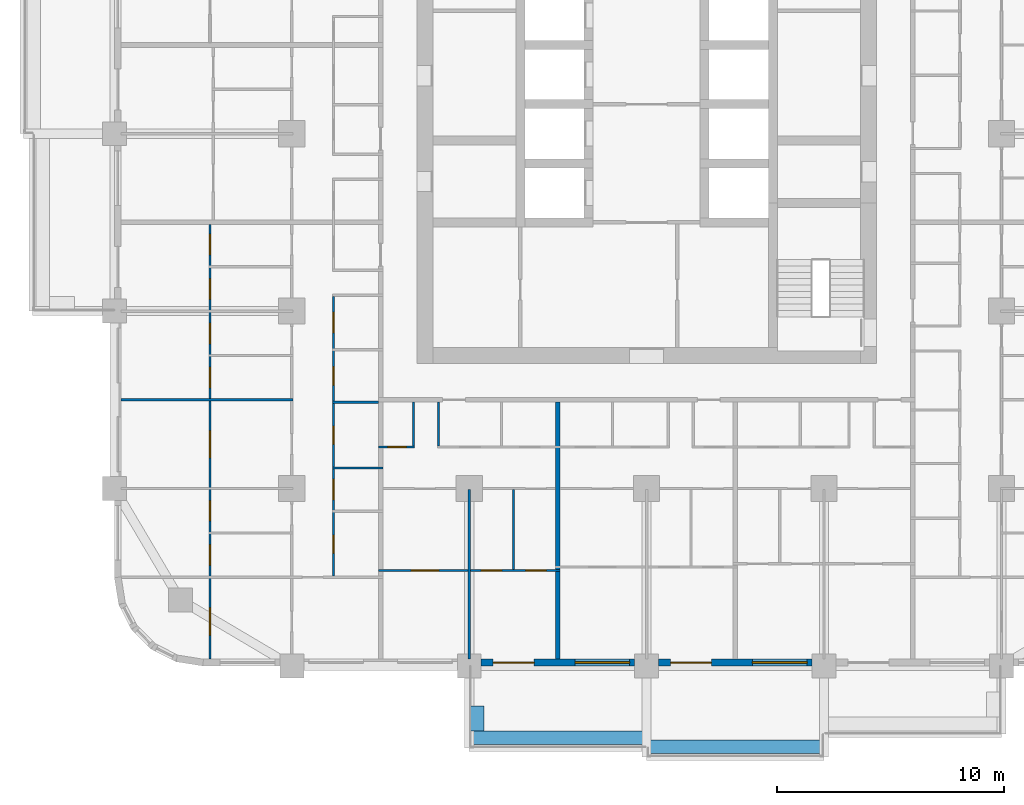
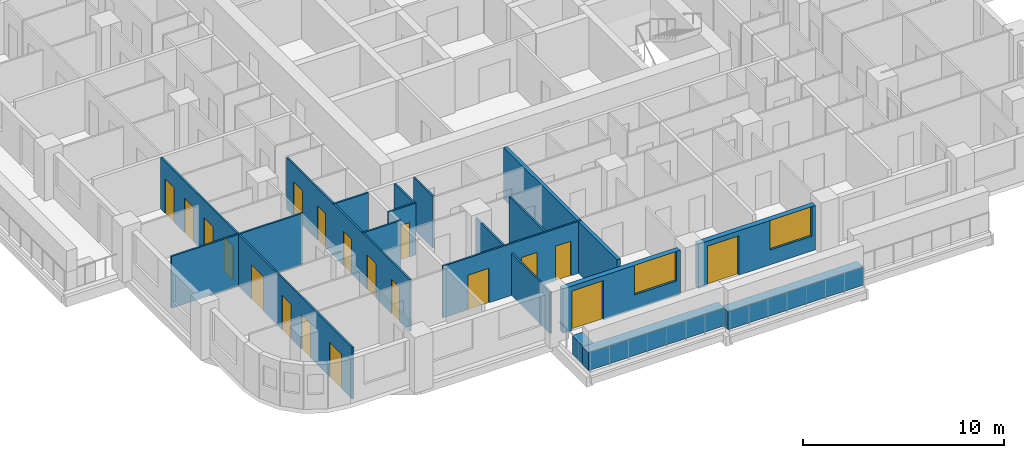
# One storey, part 3 of 17: 19 doors, 17 walls, 2 windows, 21 openings.
"""IFC4 building model written with IfcOpenShell, lengths in metres."""

from ifc_helpers import new_model, si_unit, direction, frame, frame_2d, origin, place, context, subcontext, project, spatial, rectangle, extrude, material, layer, layer_set, type_object, element, fill, save


model = new_model("IFC4")

# Units and contexts
model_context = context("Model", 3, precision=1e-05, world=origin(), true_north=direction((0.0, 1.0)))
body_context = subcontext(model_context, "Body", "Model", "MODEL_VIEW")
ifc_project = project(units=[si_unit("LENGTHUNIT", "METRE"), si_unit("AREAUNIT", "SQUARE_METRE"), si_unit("VOLUMEUNIT", "CUBIC_METRE"), si_unit("PLANEANGLEUNIT", "RADIAN"), si_unit("MASSUNIT", "GRAM", prefix="KILO")], contexts=[model_context])

# Site, building, storey
site_placement = place(None, origin())
site = spatial("IfcSite", under=ifc_project, at=site_placement, CompositionType="ELEMENT")
building_placement = place(site_placement, origin())
building = spatial("IfcBuilding", under=site, at=building_placement, Name="Ludao Terraces", CompositionType="ELEMENT")
storey_placement = place(building_placement, frame((0.0, 0.0, 39.89990234375)))
storey = spatial("IfcBuildingStorey", under=building, at=storey_placement, Name="L10", CompositionType="ELEMENT", Elevation=39.89990234375)

# Walls
ifc_material_1 = material(Name="Concrete C40", Category="concrete")
ifc_layer_1 = layer(ifc_material_1, 0.60009765625)
ifc_layer_set_1 = layer_set([ifc_layer_1], Name="ENV Planter trough 600")
wall_type_1 = type_object("IfcWallType", Name="ENV Planter trough 600", PredefinedType="USERDEFINED", material=ifc_layer_set_1)
wall_1_placement = place(storey_placement, frame((77.199951171875, 38.449951171875, 0.0), z_axis=(0.0, 0.0, 1.0), x_axis=(1.0, 0.0, 0.0)))
element("IfcWall", 1, at=wall_1_placement, inside=storey, type_object=wall_type_1, Name="PL-L10-S2", ObjectType="PLANTER", PredefinedType="USERDEFINED", context=body_context, shape_type="SweptSolid", body=[
    extrude(rectangle(XDim=7.800048828125, YDim=0.60009765625, at=frame_2d((3.89990234375, 0.0))), origin(), (0.0, 0.0, 1.0), 1.10009765625),
])
wall_2_placement = place(storey_placement, frame((77.550048828125, 38.75, 0.0), z_axis=(0.0, 0.0, 1.0), x_axis=(0.0, 1.0, 0.0)))
element("IfcWall", 2, at=wall_2_placement, inside=storey, type_object=wall_type_1, Name="PL-L10-S2-SA", ObjectType="PLANTER", PredefinedType="USERDEFINED", context=body_context, shape_type="SweptSolid", body=[
    extrude(rectangle(XDim=1.10009765625, YDim=0.60009765625, at=frame_2d((0.550048828125, 0.0))), origin(), (0.0, 0.0, 1.0), 1.10009765625),
])
wall_3_placement = place(storey_placement, frame((85.0, 38.050048828125, 0.0), z_axis=(0.0, 0.0, 1.0), x_axis=(1.0, 0.0, 0.0)))
element("IfcWall", 3, at=wall_3_placement, inside=storey, type_object=wall_type_1, Name="PL-L10-S3", ObjectType="PLANTER", PredefinedType="USERDEFINED", context=body_context, shape_type="SweptSolid", body=[
    extrude(rectangle(XDim=7.800048828125, YDim=0.60009765625, at=frame_2d((3.89990234375, 0.0))), origin(), (0.0, 0.0, 1.0), 1.10009765625),
])

# Wall, openings, door, window
ifc_material_2 = material(Name="Granite cladding", Category="masonry")
ifc_layer_2 = layer(ifc_material_2, 0.0400390625, Category="stone")
ifc_material_3 = material(Name="Mineral wool")
ifc_layer_3 = layer(ifc_material_3, 0.06005859375)
ifc_layer_4 = layer(ifc_material_1, 0.199951171875, Category="concrete")
ifc_layer_set_2 = layer_set([ifc_layer_2, ifc_layer_3, ifc_layer_4], Name="ENV Stone-clad wall 300")
wall_type_2 = type_object("IfcWallType", Name="ENV Stone-clad wall 300", PredefinedType="SOLIDWALL", material=ifc_layer_set_2)
wall_4_placement = place(storey_placement, frame((77.72509765625, 41.75, 0.0), z_axis=(0.0, 0.0, 1.0), x_axis=(1.0, 0.0, 0.0)))
wall_4 = element("IfcWall", 4, at=wall_4_placement, inside=storey, type_object=wall_type_2, Name="EW-L10-S3", PredefinedType="SOLIDWALL", context=body_context, shape_type="SweptSolid", body=[
    extrude(rectangle(XDim=6.75, YDim=0.300048828125, at=frame_2d((3.375, 0.0))), origin(), (0.0, 0.0, 1.0), 2.7001953125),
])
opening_1_placement = place(wall_4_placement, frame((0.52490234375, 0.0, 0.0)))
opening_1 = element("IfcOpeningElement", 5, at=opening_1_placement, cuts=wall_4, Name="Opening BD", PredefinedType="OPENING", context=body_context, shape_type="SweptSolid", body=[
    extrude(rectangle(XDim=1.800048828125, YDim=2.39990234375, at=frame_2d((0.89990234375, 1.199951171875))), frame((0.0, 0.16015625, 0.0), z_axis=(0.0, -1.0, 0.0), x_axis=(1.0, 0.0, 0.0)), (0.0, 0.0, 1.0), 0.320068359375),
])
opening_2_placement = place(wall_4_placement, frame((4.125, 0.0, 0.89990234375)))
opening_2 = element("IfcOpeningElement", 6, at=opening_2_placement, cuts=wall_4, Name="Opening W1", PredefinedType="OPENING", context=body_context, shape_type="SweptSolid", body=[
    extrude(rectangle(XDim=2.39990234375, YDim=1.800048828125, at=frame_2d((1.199951171875, 0.89990234375))), frame((0.0, 0.16015625, 0.0), z_axis=(0.0, -1.0, 0.0), x_axis=(1.0, 0.0, 0.0)), (0.0, 0.0, 1.0), 0.320068359375),
])
ifc_material_4 = material(Name="Aluminium glazed door", Category="aluminium")
ifc_layer_5 = layer(ifc_material_4, 0.06005859375)
ifc_layer_set_3 = layer_set([ifc_layer_5], Name="ENV Balcony door BD 1800x2400")
door_type_1 = type_object("IfcDoorType", Name="ENV Balcony door BD 1800x2400", OperationType="DOUBLE_DOOR_SINGLE_SWING", PredefinedType="DOOR", material=ifc_layer_set_3)
door_1_placement = place(opening_1_placement, origin())
door_1 = element("IfcDoor", 7, at=door_1_placement, inside=storey, type_object=door_type_1, Name="BD-L10-S3-1", OperationType="DOUBLE_DOOR_SINGLE_SWING", OverallHeight=2.39990234375, OverallWidth=1.800048828125, PredefinedType="DOOR", context=body_context, shape_type="SweptSolid", body=[
    extrude(rectangle(XDim=1.800048828125, YDim=2.39990234375, at=frame_2d((0.89990234375, 1.199951171875))), frame((0.0, 0.02490234375, 0.0), z_axis=(0.0, -1.0, 0.0), x_axis=(1.0, 0.0, 0.0)), (0.0, 0.0, 1.0), 0.050048828125),
])
fill(opening_1, door_1)
ifc_material_5 = material(Name="Clear glass in aluminium frame", Category="aluminium")
ifc_layer_6 = layer(ifc_material_5, 0.06005859375)
ifc_layer_set_4 = layer_set([ifc_layer_6], Name="ENV Window W1 2400x1800")
window_type = type_object("IfcWindowType", Name="ENV Window W1 2400x1800", PartitioningType="DOUBLE_PANEL_VERTICAL", PredefinedType="WINDOW", material=ifc_layer_set_4)
window_1_placement = place(opening_2_placement, origin())
window_1 = element("IfcWindow", 8, at=window_1_placement, inside=storey, type_object=window_type, Name="W-L10-S3-2", OverallHeight=1.800048828125, OverallWidth=2.39990234375, PartitioningType="DOUBLE_PANEL_VERTICAL", PredefinedType="WINDOW", context=body_context, shape_type="SweptSolid", body=[
    extrude(rectangle(XDim=2.39990234375, YDim=1.800048828125, at=frame_2d((1.199951171875, 0.89990234375))), frame((0.0, 0.030029296875, 0.0), z_axis=(0.0, -1.0, 0.0), x_axis=(1.0, 0.0, 0.0)), (0.0, 0.0, 1.0), 0.06005859375),
])
fill(opening_2, window_1)

wall_5_placement = place(storey_placement, frame((85.52490234375, 41.75, 0.0), z_axis=(0.0, 0.0, 1.0), x_axis=(1.0, 0.0, 0.0)))
wall_5 = element("IfcWall", 9, at=wall_5_placement, inside=storey, type_object=wall_type_2, Name="EW-L10-S4", PredefinedType="SOLIDWALL", context=body_context, shape_type="SweptSolid", body=[
    extrude(rectangle(XDim=6.75, YDim=0.300048828125, at=frame_2d((3.375, 0.0))), origin(), (0.0, 0.0, 1.0), 2.7001953125),
])
opening_3_placement = place(wall_5_placement, frame((0.52490234375, 0.0, 0.0)))
opening_3 = element("IfcOpeningElement", 10, at=opening_3_placement, cuts=wall_5, Name="Opening BD", PredefinedType="OPENING", context=body_context, shape_type="SweptSolid", body=[
    extrude(rectangle(XDim=1.800048828125, YDim=2.39990234375, at=frame_2d((0.89990234375, 1.199951171875))), frame((0.0, 0.16015625, 0.0), z_axis=(0.0, -1.0, 0.0), x_axis=(1.0, 0.0, 0.0)), (0.0, 0.0, 1.0), 0.320068359375),
])
opening_4_placement = place(wall_5_placement, frame((4.125, 0.0, 0.89990234375)))
opening_4 = element("IfcOpeningElement", 11, at=opening_4_placement, cuts=wall_5, Name="Opening W1", PredefinedType="OPENING", context=body_context, shape_type="SweptSolid", body=[
    extrude(rectangle(XDim=2.39990234375, YDim=1.800048828125, at=frame_2d((1.199951171875, 0.89990234375))), frame((0.0, 0.16015625, 0.0), z_axis=(0.0, -1.0, 0.0), x_axis=(1.0, 0.0, 0.0)), (0.0, 0.0, 1.0), 0.320068359375),
])
door_2_placement = place(opening_3_placement, origin())
door_2 = element("IfcDoor", 12, at=door_2_placement, inside=storey, type_object=door_type_1, Name="BD-L10-S4-1", OperationType="DOUBLE_DOOR_SINGLE_SWING", OverallHeight=2.39990234375, OverallWidth=1.800048828125, PredefinedType="DOOR", context=body_context, shape_type="SweptSolid", body=[
    extrude(rectangle(XDim=1.800048828125, YDim=2.39990234375, at=frame_2d((0.89990234375, 1.199951171875))), frame((0.0, 0.02490234375, 0.0), z_axis=(0.0, -1.0, 0.0), x_axis=(1.0, 0.0, 0.0)), (0.0, 0.0, 1.0), 0.050048828125),
])
fill(opening_3, door_2)
window_2_placement = place(opening_4_placement, origin())
window_2 = element("IfcWindow", 13, at=window_2_placement, inside=storey, type_object=window_type, Name="W-L10-S4-2", OverallHeight=1.800048828125, OverallWidth=2.39990234375, PartitioningType="DOUBLE_PANEL_VERTICAL", PredefinedType="WINDOW", context=body_context, shape_type="SweptSolid", body=[
    extrude(rectangle(XDim=2.39990234375, YDim=1.800048828125, at=frame_2d((1.199951171875, 0.89990234375))), frame((0.0, 0.030029296875, 0.0), z_axis=(0.0, -1.0, 0.0), x_axis=(1.0, 0.0, 0.0)), (0.0, 0.0, 1.0), 0.06005859375),
])
fill(opening_4, window_2)

# Wall, openings, doors
ifc_material_6 = material(Name="Gypsum plasterboard", Category="gypsum")
ifc_layer_7 = layer(ifc_material_6, 0.012451171875, Category="gypsum")
ifc_layer_8 = layer(ifc_material_3, 0.06005859375, Name="insulation")
ifc_material_7 = material(Name="Steel Q235", Category="steel")
ifc_layer_9 = layer(ifc_material_7, 0.014892578125, Name="stud")
ifc_layer_10 = layer(ifc_material_6, 0.012451171875, Category="gypsum")
ifc_layer_set_5 = layer_set([ifc_layer_7, ifc_layer_8, ifc_layer_9, ifc_layer_10], Name="INT Partition 100")
wall_type_3 = type_object("IfcWallType", Name="INT Partition 100", PredefinedType="PARTITIONING", material=ifc_layer_set_5)
wall_6_placement = place(storey_placement, frame((73.2001953125, 45.800048828125, 0.0), z_axis=(0.0, 0.0, 1.0), x_axis=(1.0, 0.0, 0.0)))
wall_6 = element("IfcWall", 14, at=wall_6_placement, inside=storey, type_object=wall_type_3, Name="PW-L10-PW002", PredefinedType="PARTITIONING", context=body_context, shape_type="SweptSolid", body=[
    extrude(rectangle(XDim=8.0, YDim=0.10009765625, at=frame_2d((4.0, 0.0))), origin(), (0.0, 0.0, 1.0), 3.150146484375),
])
opening_5_placement = place(wall_6_placement, frame((1.449951171875, 0.0, 0.0)))
opening_5 = element("IfcOpeningElement", 15, at=opening_5_placement, cuts=wall_6, Name="Opening R03-007", PredefinedType="OPENING", context=body_context, shape_type="SweptSolid", body=[
    extrude(rectangle(XDim=1.199951171875, YDim=2.10009765625, at=frame_2d((0.60009765625, 1.050048828125))), frame((0.0, 0.06005859375, 0.0), z_axis=(0.0, -1.0, 0.0), x_axis=(1.0, 0.0, 0.0)), (0.0, 0.0, 1.0), 0.1201171875),
])
opening_6_placement = place(wall_6_placement, frame((4.52490234375, 0.0, 0.0)))
opening_6 = element("IfcOpeningElement", 16, at=opening_6_placement, cuts=wall_6, Name="Opening R03-008", PredefinedType="OPENING", context=body_context, shape_type="SweptSolid", body=[
    extrude(rectangle(XDim=0.89990234375, YDim=2.10009765625, at=frame_2d((0.449951171875, 1.050048828125))), frame((0.0, 0.06005859375, 0.0), z_axis=(0.0, -1.0, 0.0), x_axis=(1.0, 0.0, 0.0)), (0.0, 0.0, 1.0), 0.1201171875),
])
opening_7_placement = place(wall_6_placement, frame((6.474853515625, 0.0, 0.0)))
opening_7 = element("IfcOpeningElement", 17, at=opening_7_placement, cuts=wall_6, Name="Opening R03-009", PredefinedType="OPENING", context=body_context, shape_type="SweptSolid", body=[
    extrude(rectangle(XDim=0.89990234375, YDim=2.10009765625, at=frame_2d((0.449951171875, 1.050048828125))), frame((0.0, 0.06005859375, 0.0), z_axis=(0.0, -1.0, 0.0), x_axis=(1.0, 0.0, 0.0)), (0.0, 0.0, 1.0), 0.1201171875),
])
ifc_material_8 = material(Name="Timber door leaf", Category="wood")
door_type_2 = type_object("IfcDoorType", Name="INT Bathroom door 900", OperationType="SINGLE_SWING_LEFT", PredefinedType="DOOR", material=ifc_material_8)
door_3_placement = place(opening_6_placement, origin())
door_3 = element("IfcDoor", 18, at=door_3_placement, inside=storey, type_object=door_type_2, Name="DOOR 008", OperationType="SINGLE_SWING_LEFT", OverallHeight=2.10009765625, OverallWidth=0.89990234375, PredefinedType="DOOR", context=body_context, shape_type="SweptSolid", body=[
    extrude(rectangle(XDim=0.89990234375, YDim=2.10009765625, at=frame_2d((0.449951171875, 1.050048828125))), frame((0.0, 0.02490234375, 0.0), z_axis=(0.0, -1.0, 0.0), x_axis=(1.0, 0.0, 0.0)), (0.0, 0.0, 1.0), 0.050048828125),
])
fill(opening_6, door_3)
door_type_3 = type_object("IfcDoorType", Name="INT Double door 1200", OperationType="DOUBLE_DOOR_SINGLE_SWING", PredefinedType="DOOR", material=ifc_material_8)
door_4_placement = place(opening_5_placement, origin())
door_4 = element("IfcDoor", 19, at=door_4_placement, inside=storey, type_object=door_type_3, Name="DOOR 007", OperationType="DOUBLE_DOOR_SINGLE_SWING", OverallHeight=2.10009765625, OverallWidth=1.199951171875, PredefinedType="DOOR", context=body_context, shape_type="SweptSolid", body=[
    extrude(rectangle(XDim=1.199951171875, YDim=2.10009765625, at=frame_2d((0.60009765625, 1.050048828125))), frame((0.0, 0.02490234375, 0.0), z_axis=(0.0, -1.0, 0.0), x_axis=(1.0, 0.0, 0.0)), (0.0, 0.0, 1.0), 0.050048828125),
])
fill(opening_5, door_4)
door_type_4 = type_object("IfcDoorType", Name="INT Room door 900", OperationType="SINGLE_SWING_LEFT", PredefinedType="DOOR", material=ifc_material_8)
door_5_placement = place(opening_7_placement, origin())
door_5 = element("IfcDoor", 20, at=door_5_placement, inside=storey, type_object=door_type_4, Name="DOOR 009", OperationType="SINGLE_SWING_LEFT", OverallHeight=2.10009765625, OverallWidth=0.89990234375, PredefinedType="DOOR", context=body_context, shape_type="SweptSolid", body=[
    extrude(rectangle(XDim=0.89990234375, YDim=2.10009765625, at=frame_2d((0.449951171875, 1.050048828125))), frame((0.0, 0.02490234375, 0.0), z_axis=(0.0, -1.0, 0.0), x_axis=(1.0, 0.0, 0.0)), (0.0, 0.0, 1.0), 0.050048828125),
])
fill(opening_7, door_5)

# Wall
wall_7_placement = place(storey_placement, frame((71.18017578125, 50.300048828125, 0.0), z_axis=(0.0, 0.0, 1.0), x_axis=(1.0, 0.0, 0.0)))
element("IfcWall", 21, at=wall_7_placement, inside=storey, type_object=wall_type_3, Name="PW-L10-PW012", PredefinedType="PARTITIONING", context=body_context, shape_type="SweptSolid", body=[
    extrude(rectangle(XDim=2.219970703125, YDim=0.10009765625, at=frame_2d((1.10986328125, 0.0))), origin(), (0.0, 0.0, 1.0), 3.150146484375),
])

# Wall, opening, door
wall_8_placement = place(storey_placement, frame((73.2001953125, 51.22998046875, 0.0), z_axis=(0.0, 0.0, 1.0), x_axis=(1.0, 0.0, 0.0)))
wall_8 = element("IfcWall", 22, at=wall_8_placement, inside=storey, type_object=wall_type_3, Name="PW-L10-PW014", PredefinedType="PARTITIONING", context=body_context, shape_type="SweptSolid", body=[
    extrude(rectangle(XDim=1.599853515625, YDim=0.10009765625, at=frame_2d((0.7998046875, 0.0))), origin(), (0.0, 0.0, 1.0), 3.150146484375),
])
opening_8_placement = place(wall_8_placement, frame((0.4248046875, 0.0, 0.0)))
opening_8 = element("IfcOpeningElement", 23, at=opening_8_placement, cuts=wall_8, Name="Opening R03-032", PredefinedType="OPENING", context=body_context, shape_type="SweptSolid", body=[
    extrude(rectangle(XDim=0.800048828125, YDim=2.10009765625, at=frame_2d((0.39990234375, 1.050048828125))), frame((0.0, 0.06005859375, 0.0), z_axis=(0.0, -1.0, 0.0), x_axis=(1.0, 0.0, 0.0)), (0.0, 0.0, 1.0), 0.1201171875),
])
door_type_5 = type_object("IfcDoorType", Name="INT Store door 800", OperationType="SINGLE_SWING_LEFT", PredefinedType="DOOR", material=ifc_material_8)
door_6_placement = place(opening_8_placement, origin())
door_6 = element("IfcDoor", 24, at=door_6_placement, inside=storey, type_object=door_type_5, Name="DOOR 032", OperationType="SINGLE_SWING_LEFT", OverallHeight=2.10009765625, OverallWidth=0.800048828125, PredefinedType="DOOR", context=body_context, shape_type="SweptSolid", body=[
    extrude(rectangle(XDim=0.800048828125, YDim=2.10009765625, at=frame_2d((0.39990234375, 1.050048828125))), frame((0.0, 0.02490234375, 0.0), z_axis=(0.0, -1.0, 0.0), x_axis=(1.0, 0.0, 0.0)), (0.0, 0.0, 1.0), 0.050048828125),
])
fill(opening_8, door_6)

# Walls
wall_9_placement = place(storey_placement, frame((71.18017578125, 53.199951171875, 0.0), z_axis=(0.0, 0.0, 1.0), x_axis=(1.0, 0.0, 0.0)))
element("IfcWall", 25, at=wall_9_placement, inside=storey, type_object=wall_type_3, Name="PW-L10-PW019", PredefinedType="PARTITIONING", context=body_context, shape_type="SweptSolid", body=[
    extrude(rectangle(XDim=2.02001953125, YDim=0.10009765625, at=frame_2d((1.010009765625, 0.0))), origin(), (0.0, 0.0, 1.0), 3.150146484375),
])
wall_10_placement = place(storey_placement, frame((61.900146484375, 53.300048828125, 0.0), z_axis=(0.0, 0.0, 1.0), x_axis=(1.0, 0.0, 0.0)))
element("IfcWall", 26, at=wall_10_placement, inside=storey, type_object=wall_type_3, Name="PW-L10-PW020", PredefinedType="PARTITIONING", context=body_context, shape_type="SweptSolid", body=[
    extrude(rectangle(XDim=7.550048828125, YDim=0.10009765625, at=frame_2d((3.77490234375, 0.0))), origin(), (0.0, 0.0, 1.0), 3.150146484375),
])

# Wall, openings, doors
wall_11_placement = place(storey_placement, frame((65.800048828125, 41.900146484375, 0.0), z_axis=(0.0, 0.0, 1.0), x_axis=(0.0, 1.0, 0.0)))
wall_11 = element("IfcWall", 27, at=wall_11_placement, inside=storey, type_object=wall_type_3, Name="PW-L10-PW079", PredefinedType="PARTITIONING", context=body_context, shape_type="SweptSolid", body=[
    extrude(rectangle(XDim=19.099853515625, YDim=0.10009765625, at=frame_2d((9.5498046875, 0.0))), origin(), (0.0, 0.0, 1.0), 3.150146484375),
])
opening_9_placement = place(wall_11_placement, frame((1.050048828125, 0.0, 0.0)))
opening_9 = element("IfcOpeningElement", 28, at=opening_9_placement, cuts=wall_11, Name="Opening R03-001", PredefinedType="OPENING", context=body_context, shape_type="SweptSolid", body=[
    extrude(rectangle(XDim=1.199951171875, YDim=2.10009765625, at=frame_2d((0.60009765625, 1.050048828125))), frame((0.0, 0.06005859375, 0.0), z_axis=(0.0, -1.0, 0.0), x_axis=(1.0, 0.0, 0.0)), (0.0, 0.0, 1.0), 0.1201171875),
])
opening_10_placement = place(wall_11_placement, frame((4.125, 0.0, 0.0)))
opening_10 = element("IfcOpeningElement", 29, at=opening_10_placement, cuts=wall_11, Name="Opening R03-016", PredefinedType="OPENING", context=body_context, shape_type="SweptSolid", body=[
    extrude(rectangle(XDim=0.89990234375, YDim=2.10009765625, at=frame_2d((0.449951171875, 1.050048828125))), frame((0.0, 0.06005859375, 0.0), z_axis=(0.0, -1.0, 0.0), x_axis=(1.0, 0.0, 0.0)), (0.0, 0.0, 1.0), 0.1201171875),
])
opening_11_placement = place(wall_11_placement, frame((6.074951171875, 0.0, 0.0)))
opening_11 = element("IfcOpeningElement", 30, at=opening_11_placement, cuts=wall_11, Name="Opening R03-022", PredefinedType="OPENING", context=body_context, shape_type="SweptSolid", body=[
    extrude(rectangle(XDim=0.89990234375, YDim=2.10009765625, at=frame_2d((0.449951171875, 1.050048828125))), frame((0.0, 0.06005859375, 0.0), z_axis=(0.0, -1.0, 0.0), x_axis=(1.0, 0.0, 0.0)), (0.0, 0.0, 1.0), 0.1201171875),
])
opening_12_placement = place(wall_11_placement, frame((8.85009765625, 0.0, 0.0)))
opening_12 = element("IfcOpeningElement", 31, at=opening_12_placement, cuts=wall_11, Name="Opening R03-041", PredefinedType="OPENING", context=body_context, shape_type="SweptSolid", body=[
    extrude(rectangle(XDim=1.199951171875, YDim=2.10009765625, at=frame_2d((0.60009765625, 1.050048828125))), frame((0.0, 0.06005859375, 0.0), z_axis=(0.0, -1.0, 0.0), x_axis=(1.0, 0.0, 0.0)), (0.0, 0.0, 1.0), 0.1201171875),
])
opening_13_placement = place(wall_11_placement, frame((11.925048828125, 0.0, 0.0)))
opening_13 = element("IfcOpeningElement", 32, at=opening_13_placement, cuts=wall_11, Name="Opening R03-051", PredefinedType="OPENING", context=body_context, shape_type="SweptSolid", body=[
    extrude(rectangle(XDim=0.89990234375, YDim=2.10009765625, at=frame_2d((0.449951171875, 1.050048828125))), frame((0.0, 0.06005859375, 0.0), z_axis=(0.0, -1.0, 0.0), x_axis=(1.0, 0.0, 0.0)), (0.0, 0.0, 1.0), 0.1201171875),
])
opening_14_placement = place(wall_11_placement, frame((13.875, 0.0, 0.0)))
opening_14 = element("IfcOpeningElement", 33, at=opening_14_placement, cuts=wall_11, Name="Opening R03-057", PredefinedType="OPENING", context=body_context, shape_type="SweptSolid", body=[
    extrude(rectangle(XDim=0.89990234375, YDim=2.10009765625, at=frame_2d((0.449951171875, 1.050048828125))), frame((0.0, 0.06005859375, 0.0), z_axis=(0.0, -1.0, 0.0), x_axis=(1.0, 0.0, 0.0)), (0.0, 0.0, 1.0), 0.1201171875),
])
opening_15_placement = place(wall_11_placement, frame((15.824951171875, 0.0, 0.0)))
opening_15 = element("IfcOpeningElement", 34, at=opening_15_placement, cuts=wall_11, Name="Opening R03-065", PredefinedType="OPENING", context=body_context, shape_type="SweptSolid", body=[
    extrude(rectangle(XDim=0.89990234375, YDim=2.10009765625, at=frame_2d((0.449951171875, 1.050048828125))), frame((0.0, 0.06005859375, 0.0), z_axis=(0.0, -1.0, 0.0), x_axis=(1.0, 0.0, 0.0)), (0.0, 0.0, 1.0), 0.1201171875),
])
opening_16_placement = place(wall_11_placement, frame((17.77490234375, 0.0, 0.0)))
opening_16 = element("IfcOpeningElement", 35, at=opening_16_placement, cuts=wall_11, Name="Opening R03-069", PredefinedType="OPENING", context=body_context, shape_type="SweptSolid", body=[
    extrude(rectangle(XDim=0.89990234375, YDim=2.10009765625, at=frame_2d((0.449951171875, 1.050048828125))), frame((0.0, 0.06005859375, 0.0), z_axis=(0.0, -1.0, 0.0), x_axis=(1.0, 0.0, 0.0)), (0.0, 0.0, 1.0), 0.1201171875),
])
door_7_placement = place(opening_10_placement, origin())
door_7 = element("IfcDoor", 36, at=door_7_placement, inside=storey, type_object=door_type_2, Name="DOOR 016", OperationType="SINGLE_SWING_RIGHT", OverallHeight=2.10009765625, OverallWidth=0.89990234375, PredefinedType="DOOR", context=body_context, shape_type="SweptSolid", body=[
    extrude(rectangle(XDim=0.89990234375, YDim=2.10009765625, at=frame_2d((0.449951171875, 1.050048828125))), frame((0.0, 0.02490234375, 0.0), z_axis=(0.0, -1.0, 0.0), x_axis=(1.0, 0.0, 0.0)), (0.0, 0.0, 1.0), 0.050048828125),
])
fill(opening_10, door_7)
door_8_placement = place(opening_13_placement, origin())
door_8 = element("IfcDoor", 37, at=door_8_placement, inside=storey, type_object=door_type_2, Name="DOOR 051", OperationType="SINGLE_SWING_RIGHT", OverallHeight=2.10009765625, OverallWidth=0.89990234375, PredefinedType="DOOR", context=body_context, shape_type="SweptSolid", body=[
    extrude(rectangle(XDim=0.89990234375, YDim=2.10009765625, at=frame_2d((0.449951171875, 1.050048828125))), frame((0.0, 0.02490234375, 0.0), z_axis=(0.0, -1.0, 0.0), x_axis=(1.0, 0.0, 0.0)), (0.0, 0.0, 1.0), 0.050048828125),
])
fill(opening_13, door_8)
door_9_placement = place(opening_15_placement, origin())
door_9 = element("IfcDoor", 38, at=door_9_placement, inside=storey, type_object=door_type_2, Name="DOOR 065", OperationType="SINGLE_SWING_LEFT", OverallHeight=2.10009765625, OverallWidth=0.89990234375, PredefinedType="DOOR", context=body_context, shape_type="SweptSolid", body=[
    extrude(rectangle(XDim=0.89990234375, YDim=2.10009765625, at=frame_2d((0.449951171875, 1.050048828125))), frame((0.0, 0.02490234375, 0.0), z_axis=(0.0, -1.0, 0.0), x_axis=(1.0, 0.0, 0.0)), (0.0, 0.0, 1.0), 0.050048828125),
])
fill(opening_15, door_9)
door_10_placement = place(opening_9_placement, origin())
door_10 = element("IfcDoor", 39, at=door_10_placement, inside=storey, type_object=door_type_3, Name="DOOR 001", OperationType="DOUBLE_DOOR_SINGLE_SWING", OverallHeight=2.10009765625, OverallWidth=1.199951171875, PredefinedType="DOOR", context=body_context, shape_type="SweptSolid", body=[
    extrude(rectangle(XDim=1.199951171875, YDim=2.10009765625, at=frame_2d((0.60009765625, 1.050048828125))), frame((0.0, 0.02490234375, 0.0), z_axis=(0.0, -1.0, 0.0), x_axis=(1.0, 0.0, 0.0)), (0.0, 0.0, 1.0), 0.050048828125),
])
fill(opening_9, door_10)
door_11_placement = place(opening_12_placement, origin())
door_11 = element("IfcDoor", 40, at=door_11_placement, inside=storey, type_object=door_type_3, Name="DOOR 041", OperationType="DOUBLE_DOOR_SINGLE_SWING", OverallHeight=2.10009765625, OverallWidth=1.199951171875, PredefinedType="DOOR", context=body_context, shape_type="SweptSolid", body=[
    extrude(rectangle(XDim=1.199951171875, YDim=2.10009765625, at=frame_2d((0.60009765625, 1.050048828125))), frame((0.0, 0.02490234375, 0.0), z_axis=(0.0, -1.0, 0.0), x_axis=(1.0, 0.0, 0.0)), (0.0, 0.0, 1.0), 0.050048828125),
])
fill(opening_12, door_11)
door_12_placement = place(opening_11_placement, origin())
door_12 = element("IfcDoor", 41, at=door_12_placement, inside=storey, type_object=door_type_4, Name="DOOR 022", OperationType="SINGLE_SWING_LEFT", OverallHeight=2.10009765625, OverallWidth=0.89990234375, PredefinedType="DOOR", context=body_context, shape_type="SweptSolid", body=[
    extrude(rectangle(XDim=0.89990234375, YDim=2.10009765625, at=frame_2d((0.449951171875, 1.050048828125))), frame((0.0, 0.02490234375, 0.0), z_axis=(0.0, -1.0, 0.0), x_axis=(1.0, 0.0, 0.0)), (0.0, 0.0, 1.0), 0.050048828125),
])
fill(opening_11, door_12)
door_13_placement = place(opening_14_placement, origin())
door_13 = element("IfcDoor", 42, at=door_13_placement, inside=storey, type_object=door_type_4, Name="DOOR 057", OperationType="SINGLE_SWING_RIGHT", OverallHeight=2.10009765625, OverallWidth=0.89990234375, PredefinedType="DOOR", context=body_context, shape_type="SweptSolid", body=[
    extrude(rectangle(XDim=0.89990234375, YDim=2.10009765625, at=frame_2d((0.449951171875, 1.050048828125))), frame((0.0, 0.02490234375, 0.0), z_axis=(0.0, -1.0, 0.0), x_axis=(1.0, 0.0, 0.0)), (0.0, 0.0, 1.0), 0.050048828125),
])
fill(opening_14, door_13)
door_14_placement = place(opening_16_placement, origin())
door_14 = element("IfcDoor", 43, at=door_14_placement, inside=storey, type_object=door_type_4, Name="DOOR 069", OperationType="SINGLE_SWING_LEFT", OverallHeight=2.10009765625, OverallWidth=0.89990234375, PredefinedType="DOOR", context=body_context, shape_type="SweptSolid", body=[
    extrude(rectangle(XDim=0.89990234375, YDim=2.10009765625, at=frame_2d((0.449951171875, 1.050048828125))), frame((0.0, 0.02490234375, 0.0), z_axis=(0.0, -1.0, 0.0), x_axis=(1.0, 0.0, 0.0)), (0.0, 0.0, 1.0), 0.050048828125),
])
fill(opening_16, door_14)

wall_12_placement = place(storey_placement, frame((71.22998046875, 45.550048828125, 0.0), z_axis=(0.0, 0.0, 1.0), x_axis=(0.0, 1.0, 0.0)))
wall_12 = element("IfcWall", 44, at=wall_12_placement, inside=storey, type_object=wall_type_3, Name="PW-L10-PW084", PredefinedType="PARTITIONING", context=body_context, shape_type="SweptSolid", body=[
    extrude(rectangle(XDim=12.300048828125, YDim=0.10009765625, at=frame_2d((6.14990234375, 0.0))), origin(), (0.0, 0.0, 1.0), 3.150146484375),
])
opening_17_placement = place(wall_12_placement, frame((1.0, 0.0, 0.0)))
opening_17 = element("IfcOpeningElement", 45, at=opening_17_placement, cuts=wall_12, Name="Opening R03-019", PredefinedType="OPENING", context=body_context, shape_type="SweptSolid", body=[
    extrude(rectangle(XDim=0.800048828125, YDim=2.10009765625, at=frame_2d((0.39990234375, 1.050048828125))), frame((0.0, 0.06005859375, 0.0), z_axis=(0.0, -1.0, 0.0), x_axis=(1.0, 0.0, 0.0)), (0.0, 0.0, 1.0), 0.1201171875),
])
opening_18_placement = place(wall_12_placement, frame((3.35009765625, 0.0, 0.0)))
opening_18 = element("IfcOpeningElement", 46, at=opening_18_placement, cuts=wall_12, Name="Opening R03-025", PredefinedType="OPENING", context=body_context, shape_type="SweptSolid", body=[
    extrude(rectangle(XDim=0.89990234375, YDim=2.10009765625, at=frame_2d((0.449951171875, 1.050048828125))), frame((0.0, 0.06005859375, 0.0), z_axis=(0.0, -1.0, 0.0), x_axis=(1.0, 0.0, 0.0)), (0.0, 0.0, 1.0), 0.1201171875),
])
opening_19_placement = place(wall_12_placement, frame((5.800048828125, 0.0, 0.0)))
opening_19 = element("IfcOpeningElement", 47, at=opening_19_placement, cuts=wall_12, Name="Opening R03-046", PredefinedType="OPENING", context=body_context, shape_type="SweptSolid", body=[
    extrude(rectangle(XDim=0.800048828125, YDim=2.10009765625, at=frame_2d((0.39990234375, 1.050048828125))), frame((0.0, 0.06005859375, 0.0), z_axis=(0.0, -1.0, 0.0), x_axis=(1.0, 0.0, 0.0)), (0.0, 0.0, 1.0), 0.1201171875),
])
opening_20_placement = place(wall_12_placement, frame((8.39990234375, 0.0, 0.0)))
opening_20 = element("IfcOpeningElement", 48, at=opening_20_placement, cuts=wall_12, Name="Opening R03-053", PredefinedType="OPENING", context=body_context, shape_type="SweptSolid", body=[
    extrude(rectangle(XDim=0.800048828125, YDim=2.10009765625, at=frame_2d((0.39990234375, 1.050048828125))), frame((0.0, 0.06005859375, 0.0), z_axis=(0.0, -1.0, 0.0), x_axis=(1.0, 0.0, 0.0)), (0.0, 0.0, 1.0), 0.1201171875),
])
opening_21_placement = place(wall_12_placement, frame((10.699951171875, 0.0, 0.0)))
opening_21 = element("IfcOpeningElement", 49, at=opening_21_placement, cuts=wall_12, Name="Opening R03-060", PredefinedType="OPENING", context=body_context, shape_type="SweptSolid", body=[
    extrude(rectangle(XDim=0.89990234375, YDim=2.10009765625, at=frame_2d((0.449951171875, 1.050048828125))), frame((0.0, 0.06005859375, 0.0), z_axis=(0.0, -1.0, 0.0), x_axis=(1.0, 0.0, 0.0)), (0.0, 0.0, 1.0), 0.1201171875),
])
door_15_placement = place(opening_18_placement, origin())
door_15 = element("IfcDoor", 50, at=door_15_placement, inside=storey, type_object=door_type_2, Name="DOOR 025", OperationType="SINGLE_SWING_RIGHT", OverallHeight=2.10009765625, OverallWidth=0.89990234375, PredefinedType="DOOR", context=body_context, shape_type="SweptSolid", body=[
    extrude(rectangle(XDim=0.89990234375, YDim=2.10009765625, at=frame_2d((0.449951171875, 1.050048828125))), frame((0.0, 0.02490234375, 0.0), z_axis=(0.0, -1.0, 0.0), x_axis=(1.0, 0.0, 0.0)), (0.0, 0.0, 1.0), 0.050048828125),
])
fill(opening_18, door_15)
door_16_placement = place(opening_21_placement, origin())
door_16 = element("IfcDoor", 51, at=door_16_placement, inside=storey, type_object=door_type_2, Name="DOOR 060", OperationType="SINGLE_SWING_RIGHT", OverallHeight=2.10009765625, OverallWidth=0.89990234375, PredefinedType="DOOR", context=body_context, shape_type="SweptSolid", body=[
    extrude(rectangle(XDim=0.89990234375, YDim=2.10009765625, at=frame_2d((0.449951171875, 1.050048828125))), frame((0.0, 0.02490234375, 0.0), z_axis=(0.0, -1.0, 0.0), x_axis=(1.0, 0.0, 0.0)), (0.0, 0.0, 1.0), 0.050048828125),
])
fill(opening_21, door_16)
door_17_placement = place(opening_17_placement, origin())
door_17 = element("IfcDoor", 52, at=door_17_placement, inside=storey, type_object=door_type_5, Name="DOOR 019", OperationType="SINGLE_SWING_LEFT", OverallHeight=2.10009765625, OverallWidth=0.800048828125, PredefinedType="DOOR", context=body_context, shape_type="SweptSolid", body=[
    extrude(rectangle(XDim=0.800048828125, YDim=2.10009765625, at=frame_2d((0.39990234375, 1.050048828125))), frame((0.0, 0.02490234375, 0.0), z_axis=(0.0, -1.0, 0.0), x_axis=(1.0, 0.0, 0.0)), (0.0, 0.0, 1.0), 0.050048828125),
])
fill(opening_17, door_17)
door_18_placement = place(opening_19_placement, origin())
door_18 = element("IfcDoor", 53, at=door_18_placement, inside=storey, type_object=door_type_5, Name="DOOR 046", OperationType="SINGLE_SWING_RIGHT", OverallHeight=2.10009765625, OverallWidth=0.800048828125, PredefinedType="DOOR", context=body_context, shape_type="SweptSolid", body=[
    extrude(rectangle(XDim=0.800048828125, YDim=2.10009765625, at=frame_2d((0.39990234375, 1.050048828125))), frame((0.0, 0.02490234375, 0.0), z_axis=(0.0, -1.0, 0.0), x_axis=(1.0, 0.0, 0.0)), (0.0, 0.0, 1.0), 0.050048828125),
])
fill(opening_19, door_18)
door_19_placement = place(opening_20_placement, origin())
door_19 = element("IfcDoor", 54, at=door_19_placement, inside=storey, type_object=door_type_5, Name="DOOR 053", OperationType="SINGLE_SWING_LEFT", OverallHeight=2.10009765625, OverallWidth=0.800048828125, PredefinedType="DOOR", context=body_context, shape_type="SweptSolid", body=[
    extrude(rectangle(XDim=0.800048828125, YDim=2.10009765625, at=frame_2d((0.39990234375, 1.050048828125))), frame((0.0, 0.02490234375, 0.0), z_axis=(0.0, -1.0, 0.0), x_axis=(1.0, 0.0, 0.0)), (0.0, 0.0, 1.0), 0.050048828125),
])
fill(opening_20, door_19)

# Walls
for number, where, z_axis, x_axis, name in (
    (55, (74.75, 51.280029296875, 0.0), (0.0, 0.0, 1.0), (0.0, 1.0, 0.0), "PW-L10-PW092"),
    (56, (75.85009765625, 51.280029296875, 0.0), (0.0, 0.0, 1.0), (0.0, 1.0, 0.0), "PW-L10-PW093"),
):
    element("IfcWall", number, at=place(storey_placement, frame(where, z_axis=z_axis, x_axis=x_axis)), inside=storey, type_object=wall_type_3, Name=name, PredefinedType="PARTITIONING", context=body_context, shape_type="SweptSolid", body=[
        extrude(rectangle(XDim=1.920166015625, YDim=0.10009765625, at=frame_2d((0.9599609375, 0.0))), origin(), (0.0, 0.0, 1.0), 3.150146484375),
    ])
wall_13_placement = place(storey_placement, frame((77.199951171875, 41.900146484375, 0.0), z_axis=(0.0, 0.0, 1.0), x_axis=(0.0, 1.0, 0.0)))
element("IfcWall", 57, at=wall_13_placement, inside=storey, type_object=wall_type_3, Name="PW-L10-PW094", PredefinedType="PARTITIONING", context=body_context, shape_type="SweptSolid", body=[
    extrude(rectangle(XDim=7.449951171875, YDim=0.10009765625, at=frame_2d((3.72509765625, 0.0))), origin(), (0.0, 0.0, 1.0), 2.550048828125),
])
wall_14_placement = place(storey_placement, frame((79.14990234375, 45.85009765625, 0.0), z_axis=(0.0, 0.0, 1.0), x_axis=(0.0, 1.0, 0.0)))
element("IfcWall", 58, at=wall_14_placement, inside=storey, type_object=wall_type_3, Name="PW-L10-PW097", PredefinedType="PARTITIONING", context=body_context, shape_type="SweptSolid", body=[
    extrude(rectangle(XDim=3.5, YDim=0.10009765625, at=frame_2d((1.75, 0.0))), origin(), (0.0, 0.0, 1.0), 3.150146484375),
])
ifc_material_9 = material(Name="Autoclaved aerated concrete block B06 A3.5", Category="concrete")
ifc_layer_11 = layer(ifc_material_9, 0.199951171875)
ifc_layer_set_6 = layer_set([ifc_layer_11], Name="INT Party wall 200")
wall_type_4 = type_object("IfcWallType", Name="INT Party wall 200", PredefinedType="PARTITIONING", material=ifc_layer_set_6)
wall_15_placement = place(storey_placement, frame((81.10009765625, 41.900146484375, 0.0), z_axis=(0.0, 0.0, 1.0), x_axis=(0.0, 1.0, 0.0)))
element("IfcWall", 59, at=wall_15_placement, inside=storey, type_object=wall_type_4, Name="PW-L10-PW099", PredefinedType="PARTITIONING", context=body_context, shape_type="SweptSolid", body=[
    extrude(rectangle(XDim=11.300048828125, YDim=0.199951171875, at=frame_2d((5.64990234375, 0.0))), origin(), (0.0, 0.0, 1.0), 3.150146484375),
])

save(model, "model.ifc")
